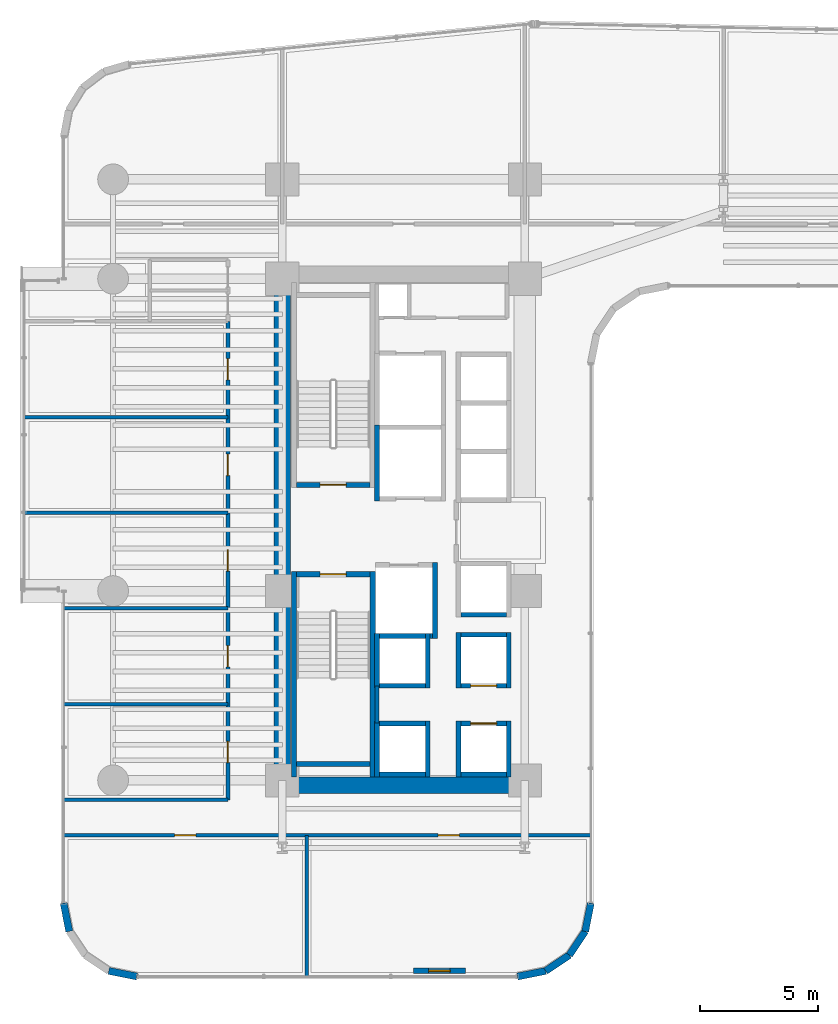
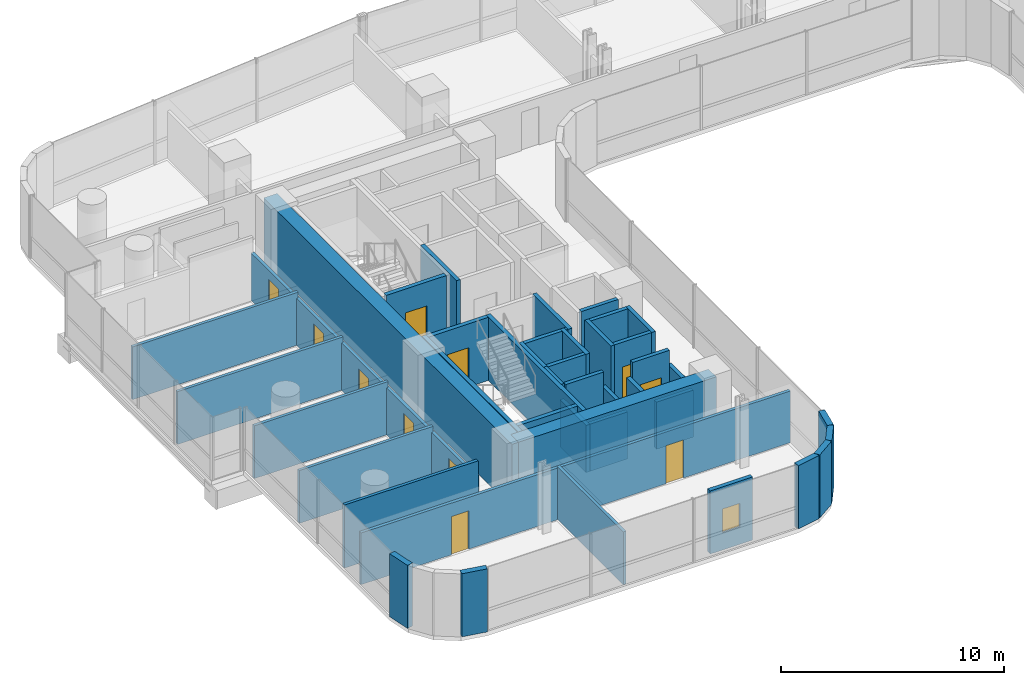
# One storey, part 29 of 38: 42 walls, 11 doors, 1 window, 12 openings.
"""IFC4 building model written with IfcOpenShell, lengths in metres."""

from ifc_helpers import new_model, si_unit, direction, frame, frame_2d, origin, place, context, subcontext, project, spatial, rectangle, extrude, material, layer, layer_set, type_object, element, fill, save


model = new_model("IFC4")

# Units and contexts
model_context = context("Model", 3, precision=1e-05, world=origin(), true_north=direction((0.0, 1.0)))
body_context = subcontext(model_context, "Body", "Model", "MODEL_VIEW")
ifc_project = project(units=[si_unit("LENGTHUNIT", "METRE"), si_unit("AREAUNIT", "SQUARE_METRE"), si_unit("VOLUMEUNIT", "CUBIC_METRE"), si_unit("PLANEANGLEUNIT", "RADIAN"), si_unit("MASSUNIT", "GRAM", prefix="KILO")], contexts=[model_context])

# Site, building, storey
site_placement = place(None, origin())
site = spatial("IfcSite", under=ifc_project, at=site_placement, CompositionType="ELEMENT")
building_placement = place(site_placement, origin())
building = spatial("IfcBuilding", under=site, at=building_placement, Name="Valdorenza Pilgrim Sanctuary Tower", CompositionType="ELEMENT")
storey_placement = place(building_placement, frame((0.0, 0.0, 37.10009765625)))
storey = spatial("IfcBuildingStorey", under=building, at=storey_placement, Name="L08", CompositionType="ELEMENT", Elevation=37.10009765625)

# Wall
ifc_material_1 = material(Name="Acoustic twin-stud gypsum partition", Category="gypsum")
ifc_layer_1 = layer(ifc_material_1, 0.159912109375, Name="Acoustic twin-stud gypsum partition")
ifc_layer_set_1 = layer_set([ifc_layer_1], Name="Acoustic twin-stud gypsum partition")
wall_type_1 = type_object("IfcWallType", Name="WAL-COR-160", PredefinedType="PARTITIONING", material=ifc_layer_set_1)
wall_1_placement = place(storey_placement, frame((-18.64990234375, -8.179931640625, 0.0), z_axis=(0.0, 0.0, 1.0), x_axis=(0.0, 1.0, 0.0)))
element("IfcWall", 1, at=wall_1_placement, inside=storey, type_object=wall_type_1, Name="L08 Core A South Lift Hall West Wall", PredefinedType="PARTITIONING", context=body_context, shape_type="SweptSolid", body=[
    extrude(rectangle(XDim=1.559814453125, YDim=0.159912109375, at=frame_2d((0.77978515625, 0.0))), origin(), (0.0, 0.0, 1.0), 3.4599609375),
])

# Wall, openings, doors
wall_2_placement = place(storey_placement, frame((-24.949951171875, -11.419921875, 0.0), z_axis=(0.0, 0.0, 1.0), x_axis=(0.0, 1.0, 0.0)))
wall_2 = element("IfcWall", 2, at=wall_2_placement, inside=storey, type_object=wall_type_1, Name="L08 West Wing Corridor Wall", PredefinedType="PARTITIONING", context=body_context, shape_type="SweptSolid", body=[
    extrude(rectangle(XDim=20.219970703125, YDim=0.159912109375, at=frame_2d((10.10986328125, 0.0))), origin(), (0.0, 0.0, 1.0), 2.5830078125),
])
opening_1_placement = place(wall_2_placement, frame((1.572021484375, 0.0, 0.0)))
opening_1 = element("IfcOpeningElement", 3, at=opening_1_placement, cuts=wall_2, Name="Opening DR-RM1", PredefinedType="OPENING", context=body_context, shape_type="SweptSolid", body=[
    extrude(rectangle(XDim=0.89990234375, YDim=2.10009765625, at=frame_2d((0.449951171875, 1.050048828125))), frame((0.0, 0.0947265625, 0.0), z_axis=(0.0, -1.0, 0.0), x_axis=(1.0, 0.0, 0.0)), (0.0, 0.0, 1.0), 0.189697265625),
])
opening_2_placement = place(wall_2_placement, frame((5.615966796875, 0.0, 0.0)))
opening_2 = element("IfcOpeningElement", 4, at=opening_2_placement, cuts=wall_2, Name="Opening DR-RM1", PredefinedType="OPENING", context=body_context, shape_type="SweptSolid", body=[
    extrude(rectangle(XDim=0.89990234375, YDim=2.10009765625, at=frame_2d((0.449951171875, 1.050048828125))), frame((0.0, 0.0947265625, 0.0), z_axis=(0.0, -1.0, 0.0), x_axis=(1.0, 0.0, 0.0)), (0.0, 0.0, 1.0), 0.189697265625),
])
opening_3_placement = place(wall_2_placement, frame((9.659912109375, 0.0, 0.0)))
opening_3 = element("IfcOpeningElement", 5, at=opening_3_placement, cuts=wall_2, Name="Opening DR-RM1", PredefinedType="OPENING", context=body_context, shape_type="SweptSolid", body=[
    extrude(rectangle(XDim=0.89990234375, YDim=2.10009765625, at=frame_2d((0.449951171875, 1.050048828125))), frame((0.0, 0.0947265625, 0.0), z_axis=(0.0, -1.0, 0.0), x_axis=(1.0, 0.0, 0.0)), (0.0, 0.0, 1.0), 0.189697265625),
])
opening_4_placement = place(wall_2_placement, frame((13.7041015625, 0.0, 0.0)))
opening_4 = element("IfcOpeningElement", 6, at=opening_4_placement, cuts=wall_2, Name="Opening DR-RM1", PredefinedType="OPENING", context=body_context, shape_type="SweptSolid", body=[
    extrude(rectangle(XDim=0.89990234375, YDim=2.10009765625, at=frame_2d((0.449951171875, 1.050048828125))), frame((0.0, 0.0947265625, 0.0), z_axis=(0.0, -1.0, 0.0), x_axis=(1.0, 0.0, 0.0)), (0.0, 0.0, 1.0), 0.189697265625),
])
opening_5_placement = place(wall_2_placement, frame((17.748046875, 0.0, 0.0)))
opening_5 = element("IfcOpeningElement", 7, at=opening_5_placement, cuts=wall_2, Name="Opening DR-RM1", PredefinedType="OPENING", context=body_context, shape_type="SweptSolid", body=[
    extrude(rectangle(XDim=0.89990234375, YDim=2.10009765625, at=frame_2d((0.449951171875, 1.050048828125))), frame((0.0, 0.0947265625, 0.0), z_axis=(0.0, -1.0, 0.0), x_axis=(1.0, 0.0, 0.0)), (0.0, 0.0, 1.0), 0.189697265625),
])
ifc_material_2 = material(Name="Solid-core European oak timber", Category="wood")
door_type_1 = type_object("IfcDoorType", Name="DR-ROOM-900", OperationType="NOTDEFINED", PredefinedType="DOOR", material=ifc_material_2)
door_1_placement = place(opening_1_placement, origin())
door_1 = element("IfcDoor", 8, at=door_1_placement, inside=storey, type_object=door_type_1, Name="L08 Pilgrim Scholar Office L08-W1 Door", OperationType="SINGLE_SWING_RIGHT", OverallHeight=2.10009765625, OverallWidth=0.89990234375, PredefinedType="DOOR", context=body_context, shape_type="SweptSolid", body=[
    extrude(rectangle(XDim=0.89990234375, YDim=2.10009765625, at=frame_2d((0.449951171875, 1.050048828125))), frame((0.0, 0.02490234375, 0.0), z_axis=(0.0, -1.0, 0.0), x_axis=(1.0, 0.0, 0.0)), (0.0, 0.0, 1.0), 0.050048828125),
])
fill(opening_1, door_1)
door_2_placement = place(opening_2_placement, frame((0.89990234375, 0.0, 0.0), z_axis=(0.0, 0.0, 1.0), x_axis=(-1.0, 0.0, 0.0)))
door_2 = element("IfcDoor", 9, at=door_2_placement, inside=storey, type_object=door_type_1, Name="L08 Pilgrim Scholar Office L08-W2 Door", OperationType="SINGLE_SWING_LEFT", OverallHeight=2.10009765625, OverallWidth=0.89990234375, PredefinedType="DOOR", context=body_context, shape_type="SweptSolid", body=[
    extrude(rectangle(XDim=0.89990234375, YDim=2.10009765625, at=frame_2d((0.449951171875, 1.050048828125))), frame((0.0, 0.02490234375, 0.0), z_axis=(0.0, -1.0, 0.0), x_axis=(1.0, 0.0, 0.0)), (0.0, 0.0, 1.0), 0.050048828125),
])
fill(opening_2, door_2)
door_3_placement = place(opening_3_placement, origin())
door_3 = element("IfcDoor", 10, at=door_3_placement, inside=storey, type_object=door_type_1, Name="L08 Pilgrim Scholar Office L08-W3 Door", OperationType="SINGLE_SWING_RIGHT", OverallHeight=2.10009765625, OverallWidth=0.89990234375, PredefinedType="DOOR", context=body_context, shape_type="SweptSolid", body=[
    extrude(rectangle(XDim=0.89990234375, YDim=2.10009765625, at=frame_2d((0.449951171875, 1.050048828125))), frame((0.0, 0.02490234375, 0.0), z_axis=(0.0, -1.0, 0.0), x_axis=(1.0, 0.0, 0.0)), (0.0, 0.0, 1.0), 0.050048828125),
])
fill(opening_3, door_3)
door_4_placement = place(opening_4_placement, frame((0.89990234375, 0.0, 0.0), z_axis=(0.0, 0.0, 1.0), x_axis=(-1.0, 0.0, 0.0)))
door_4 = element("IfcDoor", 11, at=door_4_placement, inside=storey, type_object=door_type_1, Name="L08 Pilgrim Scholar Office L08-W4 Door", OperationType="SINGLE_SWING_LEFT", OverallHeight=2.10009765625, OverallWidth=0.89990234375, PredefinedType="DOOR", context=body_context, shape_type="SweptSolid", body=[
    extrude(rectangle(XDim=0.89990234375, YDim=2.10009765625, at=frame_2d((0.449951171875, 1.050048828125))), frame((0.0, 0.02490234375, 0.0), z_axis=(0.0, -1.0, 0.0), x_axis=(1.0, 0.0, 0.0)), (0.0, 0.0, 1.0), 0.050048828125),
])
fill(opening_4, door_4)
door_5_placement = place(opening_5_placement, origin())
door_5 = element("IfcDoor", 12, at=door_5_placement, inside=storey, type_object=door_type_1, Name="L08 Pilgrim Scholar Office L08-W5 Door", OperationType="SINGLE_SWING_RIGHT", OverallHeight=2.10009765625, OverallWidth=0.89990234375, PredefinedType="DOOR", context=body_context, shape_type="SweptSolid", body=[
    extrude(rectangle(XDim=0.89990234375, YDim=2.10009765625, at=frame_2d((0.449951171875, 1.050048828125))), frame((0.0, 0.02490234375, 0.0), z_axis=(0.0, -1.0, 0.0), x_axis=(1.0, 0.0, 0.0)), (0.0, 0.0, 1.0), 0.050048828125),
])
fill(opening_5, door_5)

wall_3_placement = place(storey_placement, frame((-31.889892578125, -12.919921875, 0.0), z_axis=(0.0, 0.0, 1.0), x_axis=(1.0, 0.0, 0.0)))
wall_3 = element("IfcWall", 13, at=wall_3_placement, inside=storey, type_object=wall_type_1, Name="L08 South Wing Corridor Wall", PredefinedType="PARTITIONING", context=body_context, shape_type="SweptSolid", body=[
    extrude(rectangle(XDim=22.27978515625, YDim=0.159912109375, at=frame_2d((11.139892578125, 0.0))), origin(), (0.0, 0.0, 1.0), 2.833984375),
])
opening_6_placement = place(wall_3_placement, frame((4.68505859375, 0.0, 0.0)))
opening_6 = element("IfcOpeningElement", 14, at=opening_6_placement, cuts=wall_3, Name="Opening DR-RM1", PredefinedType="OPENING", context=body_context, shape_type="SweptSolid", body=[
    extrude(rectangle(XDim=0.89990234375, YDim=2.10009765625, at=frame_2d((0.449951171875, 1.050048828125))), frame((0.0, 0.0947265625, 0.0), z_axis=(0.0, -1.0, 0.0), x_axis=(1.0, 0.0, 0.0)), (0.0, 0.0, 1.0), 0.189697265625),
])
opening_7_placement = place(wall_3_placement, frame((15.824951171875, 0.0, 0.0)))
opening_7 = element("IfcOpeningElement", 15, at=opening_7_placement, cuts=wall_3, Name="Opening DR-RM1", PredefinedType="OPENING", context=body_context, shape_type="SweptSolid", body=[
    extrude(rectangle(XDim=0.89990234375, YDim=2.10009765625, at=frame_2d((0.449951171875, 1.050048828125))), frame((0.0, 0.0947265625, 0.0), z_axis=(0.0, -1.0, 0.0), x_axis=(1.0, 0.0, 0.0)), (0.0, 0.0, 1.0), 0.189697265625),
])
door_6_placement = place(opening_6_placement, frame((0.89990234375, 0.0, 0.0), z_axis=(0.0, 0.0, 1.0), x_axis=(-1.0, 0.0, 0.0)))
door_6 = element("IfcDoor", 16, at=door_6_placement, inside=storey, type_object=door_type_1, Name="L08 Pilgrim Scholar Office L08-S1 Door", OperationType="SINGLE_SWING_LEFT", OverallHeight=2.10009765625, OverallWidth=0.89990234375, PredefinedType="DOOR", context=body_context, shape_type="SweptSolid", body=[
    extrude(rectangle(XDim=0.89990234375, YDim=2.10009765625, at=frame_2d((0.449951171875, 1.050048828125))), frame((0.0, 0.02490234375, 0.0), z_axis=(0.0, -1.0, 0.0), x_axis=(1.0, 0.0, 0.0)), (0.0, 0.0, 1.0), 0.050048828125),
])
fill(opening_6, door_6)
door_7_placement = place(opening_7_placement, origin())
door_7 = element("IfcDoor", 17, at=door_7_placement, inside=storey, type_object=door_type_1, Name="L08 Pilgrim Scholar Office L08-S2 Door", OperationType="SINGLE_SWING_RIGHT", OverallHeight=2.10009765625, OverallWidth=0.89990234375, PredefinedType="DOOR", context=body_context, shape_type="SweptSolid", body=[
    extrude(rectangle(XDim=0.89990234375, YDim=2.10009765625, at=frame_2d((0.449951171875, 1.050048828125))), frame((0.0, 0.02490234375, 0.0), z_axis=(0.0, -1.0, 0.0), x_axis=(1.0, 0.0, 0.0)), (0.0, 0.0, 1.0), 0.050048828125),
])
fill(opening_7, door_7)

# Walls
wall_4_placement = place(storey_placement, frame((-31.889892578125, -11.419921875, 0.0), z_axis=(0.0, 0.0, 1.0), x_axis=(1.0, 0.0, 0.0)))
element("IfcWall", 18, at=wall_4_placement, inside=storey, type_object=wall_type_1, Name="L08 South-West Corridor North Wall", PredefinedType="PARTITIONING", context=body_context, shape_type="SweptSolid", body=[
    extrude(rectangle(XDim=6.93994140625, YDim=0.159912109375, at=frame_2d((3.469970703125, 0.0))), origin(), (0.0, 0.0, 1.0), 3.4599609375),
])
ifc_material_3 = material(Name="Concrete C60/75", Category="concrete")
ifc_layer_2 = layer(ifc_material_3, 0.699951171875, Name="Concrete C60/75")
ifc_layer_set_2 = layer_set([ifc_layer_2], Name="Concrete C60/75")
wall_type_2 = type_object("IfcWallType", Name="WAL-COR-700", PredefinedType="SHEAR", material=ifc_layer_set_2)
wall_5_placement = place(storey_placement, frame((-22.64990234375, -11.14990234375, 0.0), z_axis=(0.0, 0.0, 1.0), x_axis=(0.0, 1.0, 0.0)))
element("IfcWall", 19, at=wall_5_placement, inside=storey, type_object=wall_type_2, Name="L08 Split Core A Shear Wall W", PredefinedType="SHEAR", context=body_context, shape_type="SweptSolid", body=[
    extrude(rectangle(XDim=22.2998046875, YDim=0.699951171875, at=frame_2d((11.14990234375, 0.0))), origin(), (0.0, 0.0, 1.0), 3.4599609375),
])
wall_6_placement = place(storey_placement, frame((-22.64990234375, -10.800048828125, 0.0), z_axis=(0.0, 0.0, 1.0), x_axis=(1.0, 0.0, 0.0)))
element("IfcWall", 20, at=wall_6_placement, inside=storey, type_object=wall_type_2, Name="L08 Split Core A Shear Wall S", PredefinedType="SHEAR", context=body_context, shape_type="SweptSolid", body=[
    extrude(rectangle(XDim=10.25, YDim=0.699951171875, at=frame_2d((5.125, 0.0))), origin(), (0.0, 0.0, 1.0), 3.4599609375),
])
ifc_material_4 = material(Name="Honed travertine limestone", Category="masonry")
ifc_layer_3 = layer(ifc_material_4, 0.300048828125, Name="Honed travertine limestone")
ifc_layer_set_3 = layer_set([ifc_layer_3], Name="Honed travertine limestone")
wall_type_3 = type_object("IfcWallType", Name="WAL-EXT-300", PredefinedType="SOLIDWALL", material=ifc_layer_set_3)
wall_7_placement = place(storey_placement, frame((-9.610107421875, -15.789306640625, 0.0), z_axis=(0.0, 0.0, 1.0), x_axis=(-0.194996050505, -0.980804027463, 0.0)))
element("IfcWall", 21, at=wall_7_placement, inside=storey, type_object=wall_type_3, Name="L08 Rounded Wind-Corner Stone Pier 42", PredefinedType="SOLIDWALL", context=body_context, shape_type="SweptSolid", body=[
    extrude(rectangle(XDim=1.2158203125, YDim=0.300048828125, at=frame_2d((0.60791015625, 0.0))), origin(), (0.0, 0.0, 1.0), 3.4599609375),
])
for number, where, z_axis, x_axis, name in (
    (22, (-9.84716796875, -16.981689453125, 0.0), (0.0, 0.0, 1.0), (-0.555635100982, -0.831426265255, 0.0), "L08 Rounded Wind-Corner Stone Pier 43"),
    (23, (-10.5166015625, -17.9833984375, 0.0), (0.0, 0.0, 1.0), (-0.831426265255, -0.555635100982, 0.0), "L08 Rounded Wind-Corner Stone Pier 44"),
):
    element("IfcWall", number, at=place(storey_placement, frame(where, z_axis=z_axis, x_axis=x_axis)), inside=storey, type_object=wall_type_3, Name=name, PredefinedType="SOLIDWALL", context=body_context, shape_type="SweptSolid", body=[
        extrude(rectangle(XDim=1.204833984375, YDim=0.300048828125, at=frame_2d((0.6025390625, 0.0))), origin(), (0.0, 0.0, 1.0), 3.4599609375),
    ])
wall_8_placement = place(storey_placement, frame((-11.518310546875, -18.65283203125, 0.0), z_axis=(0.0, 0.0, 1.0), x_axis=(-0.980804027463, -0.194996050505, 0.0)))
element("IfcWall", 24, at=wall_8_placement, inside=storey, type_object=wall_type_3, Name="L08 Rounded Wind-Corner Stone Pier 45", PredefinedType="SOLIDWALL", context=body_context, shape_type="SweptSolid", body=[
    extrude(rectangle(XDim=1.2158203125, YDim=0.300048828125, at=frame_2d((0.60791015625, 0.0))), origin(), (0.0, 0.0, 1.0), 3.4599609375),
])

# Wall, opening, window
wall_9_placement = place(storey_placement, frame((-14.910888671875, -18.64990234375, 0.0), z_axis=(0.0, 0.0, 1.0), x_axis=(-1.0, 0.0, 0.0)))
wall_9 = element("IfcWall", 25, at=wall_9_placement, inside=storey, type_object=wall_type_3, Name="L08 Operable Ventilation Sash Jamb Pier", PredefinedType="SOLIDWALL", context=body_context, shape_type="SweptSolid", body=[
    extrude(rectangle(XDim=2.199951171875, YDim=0.219970703125, at=frame_2d((1.10009765625, 0.0))), origin(), (0.0, 0.0, 1.0), 3.4599609375),
])
opening_8_placement = place(wall_9_placement, frame((0.64990234375, 0.0, 0.949951171875)))
opening_8 = element("IfcOpeningElement", 26, at=opening_8_placement, cuts=wall_9, Name="Opening WN-OP1", PredefinedType="OPENING", context=body_context, shape_type="SweptSolid", body=[
    extrude(rectangle(XDim=0.89990234375, YDim=1.300048828125, at=frame_2d((0.449951171875, 0.64990234375))), frame((0.0, 0.125, 0.0), z_axis=(0.0, -1.0, 0.0), x_axis=(1.0, 0.0, 0.0)), (0.0, 0.0, 1.0), 0.249755859375),
])
ifc_material_5 = material(Name="Ceramic-fritted low-E IGU glazing", Category="glass")
window_type = type_object("IfcWindowType", Name="WIN-OPN-900", PartitioningType="SINGLE_PANEL", PredefinedType="WINDOW", material=ifc_material_5)
window_placement = place(opening_8_placement, origin())
window = element("IfcWindow", 27, at=window_placement, inside=storey, type_object=window_type, Name="L08 Parallel-Pop-Out Operable Facade Panel", OverallHeight=1.300048828125, OverallWidth=0.89990234375, PartitioningType="SINGLE_PANEL", PredefinedType="WINDOW", context=body_context, shape_type="SweptSolid", body=[
    extrude(rectangle(XDim=0.89990234375, YDim=1.300048828125, at=frame_2d((0.449951171875, 0.64990234375))), frame((0.0, 0.030029296875, 0.0), z_axis=(0.0, -1.0, 0.0), x_axis=(1.0, 0.0, 0.0)), (0.0, 0.0, 1.0), 0.06005859375),
])
fill(opening_8, window)

# Walls
for number, where, z_axis, x_axis, name in (
    (28, (-28.789306640625, -18.889892578125, 0.0), (0.0, 0.0, 1.0), (-0.980804027463, 0.194996050505, 0.0), "L08 Rounded Wind-Corner Stone Pier 47"),
    (29, (-31.65283203125, -16.981689453125, 0.0), (0.0, 0.0, 1.0), (-0.194996050505, 0.980804027463, 0.0), "L08 Rounded Wind-Corner Stone Pier 50"),
):
    element("IfcWall", number, at=place(storey_placement, frame(where, z_axis=z_axis, x_axis=x_axis)), inside=storey, type_object=wall_type_3, Name=name, PredefinedType="SOLIDWALL", context=body_context, shape_type="SweptSolid", body=[
        extrude(rectangle(XDim=1.2158203125, YDim=0.300048828125, at=frame_2d((0.60791015625, 0.0))), origin(), (0.0, 0.0, 1.0), 3.4599609375),
    ])
ifc_material_6 = material(Name="Autoclaved aerated concrete blockwork", Category="masonry")
ifc_layer_4 = layer(ifc_material_6, 0.199951171875, Name="Autoclaved aerated concrete blockwork")
ifc_layer_set_4 = layer_set([ifc_layer_4], Name="Autoclaved aerated concrete blockwork")
wall_type_4 = type_object("IfcWallType", Name="WAL-SHF-200", PredefinedType="MOVABLE", material=ifc_layer_set_4)
wall_10_placement = place(storey_placement, frame((-18.64990234375, 1.199951171875, 0.0), z_axis=(0.0, 0.0, 1.0), x_axis=(0.0, 1.0, 0.0)))
element("IfcWall", 30, at=wall_10_placement, inside=storey, type_object=wall_type_4, Name="L08 Lift FFL-01 Hoistway Wall West", PredefinedType="MOVABLE", context=body_context, shape_type="SweptSolid", body=[
    extrude(rectangle(XDim=3.22509765625, YDim=0.199951171875, at=frame_2d((1.612548828125, 0.0))), origin(), (0.0, 0.0, 1.0), 3.4599609375),
])
wall_11_placement = place(storey_placement, frame((-16.199951171875, -4.60009765625, 0.0), z_axis=(0.0, 0.0, 1.0), x_axis=(0.0, 1.0, 0.0)))
element("IfcWall", 31, at=wall_11_placement, inside=storey, type_object=wall_type_4, Name="L08 Lift FFL-02 Hoistway Wall East", PredefinedType="MOVABLE", context=body_context, shape_type="SweptSolid", body=[
    extrude(rectangle(XDim=3.2001953125, YDim=0.199951171875, at=frame_2d((1.60009765625, 0.0))), origin(), (0.0, 0.0, 1.0), 3.4599609375),
])
wall_12_placement = place(storey_placement, frame((-18.719970703125, -4.5, 0.0), z_axis=(0.0, 0.0, 1.0), x_axis=(1.0, 0.0, 0.0)))
element("IfcWall", 32, at=wall_12_placement, inside=storey, type_object=wall_type_4, Name="L08 Lift FFL-02 Hoistway Wall South", PredefinedType="MOVABLE", context=body_context, shape_type="SweptSolid", body=[
    extrude(rectangle(XDim=2.419921875, YDim=0.199951171875, at=frame_2d((1.2099609375, 0.0))), origin(), (0.0, 0.0, 1.0), 3.4599609375),
])
for number, where, z_axis, x_axis, name in (
    (33, (-15.199951171875, -10.449951171875, 0.0), (0.0, 0.0, 1.0), (0.0, 1.0, 0.0), "L08 Lift PL-01 Hoistway Wall West"),
    (34, (-13.080078125, -10.449951171875, 0.0), (0.0, 0.0, 1.0), (0.0, 1.0, 0.0), "L08 Lift PL-01 Hoistway Wall East"),
):
    element("IfcWall", number, at=place(storey_placement, frame(where, z_axis=z_axis, x_axis=x_axis)), inside=storey, type_object=wall_type_4, Name=name, PredefinedType="MOVABLE", context=body_context, shape_type="SweptSolid", body=[
        extrude(rectangle(XDim=2.349853515625, YDim=0.199951171875, at=frame_2d((1.1748046875, 0.0))), origin(), (0.0, 0.0, 1.0), 2.5830078125),
    ])
wall_13_placement = place(storey_placement, frame((-15.10009765625, -10.35009765625, 0.0), z_axis=(0.0, 0.0, 1.0), x_axis=(1.0, 0.0, 0.0)))
element("IfcWall", 35, at=wall_13_placement, inside=storey, type_object=wall_type_4, Name="L08 Lift PL-01 Hoistway Wall South", PredefinedType="MOVABLE", context=body_context, shape_type="SweptSolid", body=[
    extrude(rectangle(XDim=1.920166015625, YDim=0.199951171875, at=frame_2d((0.9599609375, 0.0))), origin(), (0.0, 0.0, 1.0), 2.5830078125),
])

# Wall, opening, door
wall_14_placement = place(storey_placement, frame((-15.10009765625, -8.199951171875, 0.0), z_axis=(0.0, 0.0, 1.0), x_axis=(1.0, 0.0, 0.0)))
wall_14 = element("IfcWall", 36, at=wall_14_placement, inside=storey, type_object=wall_type_4, Name="L08 Lift PL-01 Hoistway Wall North", PredefinedType="MOVABLE", context=body_context, shape_type="SweptSolid", body=[
    extrude(rectangle(XDim=1.920166015625, YDim=0.199951171875, at=frame_2d((0.9599609375, 0.0))), origin(), (0.0, 0.0, 1.0), 3.4599609375),
])
opening_9_placement = place(wall_14_placement, frame((0.409912109375, 0.0, 0.0)))
opening_9 = element("IfcOpeningElement", 37, at=opening_9_placement, cuts=wall_14, Name="Opening LD-01", PredefinedType="OPENING", context=body_context, shape_type="SweptSolid", body=[
    extrude(rectangle(XDim=1.10009765625, YDim=2.10009765625, at=frame_2d((0.550048828125, 1.050048828125))), frame((0.0, 0.11474609375, 0.0), z_axis=(0.0, -1.0, 0.0), x_axis=(1.0, 0.0, 0.0)), (0.0, 0.0, 1.0), 0.229736328125),
])
ifc_material_7 = material(Name="Brushed stainless steel Grade 316", Category="steel")
door_type_2 = type_object("IfcDoorType", Name="DR-LFT-1100", OperationType="DOUBLE_DOOR_SLIDING", PredefinedType="DOOR", material=ifc_material_7)
door_8_placement = place(opening_9_placement, origin())
door_8 = element("IfcDoor", 38, at=door_8_placement, inside=storey, type_object=door_type_2, Name="L08 Lift PL-01 Sliding Landing Door", OperationType="DOUBLE_DOOR_SLIDING", OverallHeight=2.10009765625, OverallWidth=1.10009765625, PredefinedType="DOOR", context=body_context, shape_type="SweptSolid", body=[
    extrude(rectangle(XDim=1.10009765625, YDim=2.10009765625, at=frame_2d((0.550048828125, 1.050048828125))), frame((0.0, 0.02490234375, 0.0), z_axis=(0.0, -1.0, 0.0), x_axis=(1.0, 0.0, 0.0)), (0.0, 0.0, 1.0), 0.050048828125),
])
fill(opening_9, door_8)

# Walls
for number, where, z_axis, x_axis, name in (
    (39, (-15.199951171875, -6.699951171875, 0.0), (0.0, 0.0, 1.0), (0.0, 1.0, 0.0), "L08 Lift PL-02 Hoistway Wall West"),
    (40, (-13.080078125, -6.699951171875, 0.0), (0.0, 0.0, 1.0), (0.0, 1.0, 0.0), "L08 Lift PL-02 Hoistway Wall East"),
):
    element("IfcWall", number, at=place(storey_placement, frame(where, z_axis=z_axis, x_axis=x_axis)), inside=storey, type_object=wall_type_4, Name=name, PredefinedType="MOVABLE", context=body_context, shape_type="SweptSolid", body=[
        extrude(rectangle(XDim=2.349853515625, YDim=0.199951171875, at=frame_2d((1.1748046875, 0.0))), origin(), (0.0, 0.0, 1.0), 3.4599609375),
    ])

# Wall, opening, door
wall_15_placement = place(storey_placement, frame((-15.10009765625, -6.60009765625, 0.0), z_axis=(0.0, 0.0, 1.0), x_axis=(1.0, 0.0, 0.0)))
wall_15 = element("IfcWall", 41, at=wall_15_placement, inside=storey, type_object=wall_type_4, Name="L08 Lift PL-02 Hoistway Wall South", PredefinedType="MOVABLE", context=body_context, shape_type="SweptSolid", body=[
    extrude(rectangle(XDim=1.920166015625, YDim=0.199951171875, at=frame_2d((0.9599609375, 0.0))), origin(), (0.0, 0.0, 1.0), 3.4599609375),
])
opening_10_placement = place(wall_15_placement, frame((0.409912109375, 0.0, 0.0)))
opening_10 = element("IfcOpeningElement", 42, at=opening_10_placement, cuts=wall_15, Name="Opening LD-01", PredefinedType="OPENING", context=body_context, shape_type="SweptSolid", body=[
    extrude(rectangle(XDim=1.10009765625, YDim=2.10009765625, at=frame_2d((0.550048828125, 1.050048828125))), frame((0.0, 0.11474609375, 0.0), z_axis=(0.0, -1.0, 0.0), x_axis=(1.0, 0.0, 0.0)), (0.0, 0.0, 1.0), 0.229736328125),
])
door_9_placement = place(opening_10_placement, origin())
door_9 = element("IfcDoor", 43, at=door_9_placement, inside=storey, type_object=door_type_2, Name="L08 Lift PL-02 Sliding Landing Door", OperationType="DOUBLE_DOOR_SLIDING", OverallHeight=2.10009765625, OverallWidth=1.10009765625, PredefinedType="DOOR", context=body_context, shape_type="SweptSolid", body=[
    extrude(rectangle(XDim=1.10009765625, YDim=2.10009765625, at=frame_2d((0.550048828125, 1.050048828125))), frame((0.0, 0.02490234375, 0.0), z_axis=(0.0, -1.0, 0.0), x_axis=(1.0, 0.0, 0.0)), (0.0, 0.0, 1.0), 0.050048828125),
])
fill(opening_10, door_9)

# Walls
wall_16_placement = place(storey_placement, frame((-15.10009765625, -4.449951171875, 0.0), z_axis=(0.0, 0.0, 1.0), x_axis=(1.0, 0.0, 0.0)))
element("IfcWall", 44, at=wall_16_placement, inside=storey, type_object=wall_type_4, Name="L08 Lift PL-02 Hoistway Wall North", PredefinedType="MOVABLE", context=body_context, shape_type="SweptSolid", body=[
    extrude(rectangle(XDim=1.920166015625, YDim=0.199951171875, at=frame_2d((0.9599609375, 0.0))), origin(), (0.0, 0.0, 1.0), 3.4599609375),
])
for number, where, z_axis, x_axis, name in (
    (45, (-18.64990234375, -10.449951171875, 0.0), (0.0, 0.0, 1.0), (0.0, 1.0, 0.0), "L08 Lift PL-05 Hoistway Wall West"),
    (46, (-16.5, -10.449951171875, 0.0), (0.0, 0.0, 1.0), (0.0, 1.0, 0.0), "L08 Lift PL-05 Hoistway Wall East"),
):
    element("IfcWall", number, at=place(storey_placement, frame(where, z_axis=z_axis, x_axis=x_axis)), inside=storey, type_object=wall_type_4, Name=name, PredefinedType="MOVABLE", context=body_context, shape_type="SweptSolid", body=[
        extrude(rectangle(XDim=2.349853515625, YDim=0.199951171875, at=frame_2d((1.1748046875, 0.0))), origin(), (0.0, 0.0, 1.0), 2.5830078125),
    ])
wall_17_placement = place(storey_placement, frame((-18.550048828125, -10.35009765625, 0.0), z_axis=(0.0, 0.0, 1.0), x_axis=(1.0, 0.0, 0.0)))
element("IfcWall", 47, at=wall_17_placement, inside=storey, type_object=wall_type_4, Name="L08 Lift PL-05 Hoistway Wall South", PredefinedType="MOVABLE", context=body_context, shape_type="SweptSolid", body=[
    extrude(rectangle(XDim=1.949951171875, YDim=0.199951171875, at=frame_2d((0.97509765625, 0.0))), origin(), (0.0, 0.0, 1.0), 2.5830078125),
])
wall_18_placement = place(storey_placement, frame((-18.550048828125, -8.199951171875, 0.0), z_axis=(0.0, 0.0, 1.0), x_axis=(1.0, 0.0, 0.0)))
element("IfcWall", 48, at=wall_18_placement, inside=storey, type_object=wall_type_4, Name="L08 Lift PL-05 Hoistway Wall North", PredefinedType="MOVABLE", context=body_context, shape_type="SweptSolid", body=[
    extrude(rectangle(XDim=1.949951171875, YDim=0.199951171875, at=frame_2d((0.97509765625, 0.0))), origin(), (0.0, 0.0, 1.0), 3.4599609375),
])
for number, where, z_axis, x_axis, name in (
    (49, (-18.64990234375, -6.699951171875, 0.0), (0.0, 0.0, 1.0), (0.0, 1.0, 0.0), "L08 Lift PL-11 Hoistway Wall West"),
    (50, (-16.5, -6.699951171875, 0.0), (0.0, 0.0, 1.0), (0.0, 1.0, 0.0), "L08 Lift PL-11 Hoistway Wall East"),
):
    element("IfcWall", number, at=place(storey_placement, frame(where, z_axis=z_axis, x_axis=x_axis)), inside=storey, type_object=wall_type_4, Name=name, PredefinedType="MOVABLE", context=body_context, shape_type="SweptSolid", body=[
        extrude(rectangle(XDim=2.300048828125, YDim=0.199951171875, at=frame_2d((1.14990234375, 0.0))), origin(), (0.0, 0.0, 1.0), 3.4599609375),
    ])
wall_19_placement = place(storey_placement, frame((-18.550048828125, -6.60009765625, 0.0), z_axis=(0.0, 0.0, 1.0), x_axis=(1.0, 0.0, 0.0)))
element("IfcWall", 51, at=wall_19_placement, inside=storey, type_object=wall_type_4, Name="L08 Lift PL-11 Hoistway Wall South", PredefinedType="MOVABLE", context=body_context, shape_type="SweptSolid", body=[
    extrude(rectangle(XDim=1.949951171875, YDim=0.199951171875, at=frame_2d((0.97509765625, 0.0))), origin(), (0.0, 0.0, 1.0), 3.4599609375),
])
wall_20_placement = place(storey_placement, frame((-15.10009765625, -3.60009765625, 0.0), z_axis=(0.0, 0.0, 1.0), x_axis=(1.0, 0.0, 0.0)))
element("IfcWall", 52, at=wall_20_placement, inside=storey, type_object=wall_type_4, Name="L08 Lift PL-12 Hoistway Wall South", PredefinedType="MOVABLE", context=body_context, shape_type="SweptSolid", body=[
    extrude(rectangle(XDim=1.920166015625, YDim=0.199951171875, at=frame_2d((0.9599609375, 0.0))), origin(), (0.0, 0.0, 1.0), 3.4599609375),
])

# Wall, opening, door
ifc_material_8 = material(Name="Concrete C40/50", Category="concrete")
ifc_layer_5 = layer(ifc_material_8, 0.219970703125, Name="Concrete C40/50")
ifc_layer_set_5 = layer_set([ifc_layer_5], Name="Concrete C40/50")
wall_type_5 = type_object("IfcWallType", Name="WAL-STR-SHF-220", PredefinedType="SHEAR", material=ifc_layer_set_5)
wall_21_placement = place(storey_placement, frame((-22.050048828125, 1.889892578125, 0.0), z_axis=(0.0, 0.0, 1.0), x_axis=(1.0, 0.0, 0.0)))
wall_21 = element("IfcWall", 53, at=wall_21_placement, inside=storey, type_object=wall_type_5, Name="L08 ST-A1 Structural Stairwell Wall S", PredefinedType="SHEAR", context=body_context, shape_type="SweptSolid", body=[
    extrude(rectangle(XDim=3.110107421875, YDim=0.219970703125, at=frame_2d((1.55517578125, 0.0))), origin(), (0.0, 0.0, 1.0), 3.4599609375),
])
opening_11_placement = place(wall_21_placement, frame((1.0, 0.0, 0.0)))
opening_11 = element("IfcOpeningElement", 54, at=opening_11_placement, cuts=wall_21, Name="Opening DR-ST1", PredefinedType="OPENING", context=body_context, shape_type="SweptSolid", body=[
    extrude(rectangle(XDim=1.10009765625, YDim=2.14990234375, at=frame_2d((0.550048828125, 1.074951171875))), frame((0.0, 0.125, 0.0), z_axis=(0.0, -1.0, 0.0), x_axis=(1.0, 0.0, 0.0)), (0.0, 0.0, 1.0), 0.249755859375),
])
ifc_material_9 = material(Name="Painted galvanized steel", Category="steel")
door_type_3 = type_object("IfcDoorType", Name="DR-STAIR-1100", OperationType="NOTDEFINED", PredefinedType="DOOR", material=ifc_material_9)
door_10_placement = place(opening_11_placement, frame((1.10009765625, 0.0, 0.0), z_axis=(0.0, 0.0, 1.0), x_axis=(-1.0, 0.0, 0.0)))
door_10 = element("IfcDoor", 55, at=door_10_placement, inside=storey, type_object=door_type_3, Name="L08 Exit Stair ST-A1 Door", OperationType="SINGLE_SWING_LEFT", OverallHeight=2.14990234375, OverallWidth=1.10009765625, PredefinedType="DOOR", context=body_context, shape_type="SweptSolid", body=[
    extrude(rectangle(XDim=1.10009765625, YDim=2.14990234375, at=frame_2d((0.550048828125, 1.074951171875))), frame((0.0, 0.02490234375, 0.0), z_axis=(0.0, -1.0, 0.0), x_axis=(1.0, 0.0, 0.0)), (0.0, 0.0, 1.0), 0.050048828125),
])
fill(opening_11, door_10)

# Walls
for number, where, z_axis, x_axis, name in (
    (56, (-22.159912109375, -10.449951171875, 0.0), (0.0, 0.0, 1.0), (0.0, 1.0, 0.0), "L08 ST-A2 Structural Stairwell Wall W"),
    (57, (-18.830078125, -10.449951171875, 0.0), (0.0, 0.0, 1.0), (0.0, 1.0, 0.0), "L08 ST-A2 Structural Stairwell Wall E"),
):
    element("IfcWall", number, at=place(storey_placement, frame(where, z_axis=z_axis, x_axis=x_axis)), inside=storey, type_object=wall_type_5, Name=name, PredefinedType="SHEAR", context=body_context, shape_type="SweptSolid", body=[
        extrude(rectangle(XDim=8.669921875, YDim=0.219970703125, at=frame_2d((4.3349609375, 0.0))), origin(), (0.0, 0.0, 1.0), 3.4599609375),
    ])
wall_22_placement = place(storey_placement, frame((-22.050048828125, -9.909912109375, 0.0), z_axis=(0.0, 0.0, 1.0), x_axis=(1.0, 0.0, 0.0)))
element("IfcWall", 58, at=wall_22_placement, inside=storey, type_object=wall_type_5, Name="L08 ST-A2 Structural Stairwell Wall S", PredefinedType="SHEAR", context=body_context, shape_type="SweptSolid", body=[
    extrude(rectangle(XDim=3.110107421875, YDim=0.219970703125, at=frame_2d((1.55517578125, 0.0))), origin(), (0.0, 0.0, 1.0), 3.4599609375),
])

# Wall, opening, door
wall_23_placement = place(storey_placement, frame((-22.050048828125, -1.889892578125, 0.0), z_axis=(0.0, 0.0, 1.0), x_axis=(1.0, 0.0, 0.0)))
wall_23 = element("IfcWall", 59, at=wall_23_placement, inside=storey, type_object=wall_type_5, Name="L08 ST-A2 Structural Stairwell Wall N", PredefinedType="SHEAR", context=body_context, shape_type="SweptSolid", body=[
    extrude(rectangle(XDim=3.110107421875, YDim=0.219970703125, at=frame_2d((1.55517578125, 0.0))), origin(), (0.0, 0.0, 1.0), 3.4599609375),
])
opening_12_placement = place(wall_23_placement, frame((1.0, 0.0, 0.0)))
opening_12 = element("IfcOpeningElement", 60, at=opening_12_placement, cuts=wall_23, Name="Opening DR-ST1", PredefinedType="OPENING", context=body_context, shape_type="SweptSolid", body=[
    extrude(rectangle(XDim=1.10009765625, YDim=2.14990234375, at=frame_2d((0.550048828125, 1.074951171875))), frame((0.0, 0.125, 0.0), z_axis=(0.0, -1.0, 0.0), x_axis=(1.0, 0.0, 0.0)), (0.0, 0.0, 1.0), 0.249755859375),
])
door_11_placement = place(opening_12_placement, origin())
door_11 = element("IfcDoor", 61, at=door_11_placement, inside=storey, type_object=door_type_3, Name="L08 Exit Stair ST-A2 Door", OperationType="SINGLE_SWING_RIGHT", OverallHeight=2.14990234375, OverallWidth=1.10009765625, PredefinedType="DOOR", context=body_context, shape_type="SweptSolid", body=[
    extrude(rectangle(XDim=1.10009765625, YDim=2.14990234375, at=frame_2d((0.550048828125, 1.074951171875))), frame((0.0, 0.02490234375, 0.0), z_axis=(0.0, -1.0, 0.0), x_axis=(1.0, 0.0, 0.0)), (0.0, 0.0, 1.0), 0.050048828125),
])
fill(opening_12, door_11)

# Walls
ifc_layer_6 = layer(ifc_material_1, 0.14990234375, Name="Acoustic twin-stud gypsum partition")
ifc_layer_set_6 = layer_set([ifc_layer_6], Name="Acoustic twin-stud gypsum partition")
wall_type_6 = type_object("IfcWallType", Name="WAL-UNT-150", PredefinedType="PARTITIONING", material=ifc_layer_set_6)
for number, where, z_axis, x_axis, name in (
    (62, (-31.889892578125, -7.3759765625, 0.0), (0.0, 0.0, 1.0), (1.0, 0.0, 0.0), "L08 Pilgrim Scholar Office L08-W2 Demising Wall"),
    (63, (-31.889892578125, -3.33203125, 0.0), (0.0, 0.0, 1.0), (1.0, 0.0, 0.0), "L08 Pilgrim Scholar Office L08-W3 Demising Wall"),
):
    element("IfcWall", number, at=place(storey_placement, frame(where, z_axis=z_axis, x_axis=x_axis)), inside=storey, type_object=wall_type_6, Name=name, PredefinedType="PARTITIONING", context=body_context, shape_type="SweptSolid", body=[
        extrude(rectangle(XDim=6.93994140625, YDim=0.14990234375, at=frame_2d((3.469970703125, 0.0))), origin(), (0.0, 0.0, 1.0), 2.89599609375),
    ])
for number, where, z_axis, x_axis, name in (
    (64, (-33.5400390625, 0.7119140625, 0.0), (0.0, 0.0, 1.0), (1.0, 0.0, 0.0), "L08 Pilgrim Scholar Office L08-W4 Demising Wall"),
    (65, (-33.5400390625, 4.756103515625, 0.0), (0.0, 0.0, 1.0), (1.0, 0.0, 0.0), "L08 Pilgrim Scholar Office L08-W5 Demising Wall"),
):
    element("IfcWall", number, at=place(storey_placement, frame(where, z_axis=z_axis, x_axis=x_axis)), inside=storey, type_object=wall_type_6, Name=name, PredefinedType="PARTITIONING", context=body_context, shape_type="SweptSolid", body=[
        extrude(rectangle(XDim=8.590087890625, YDim=0.14990234375, at=frame_2d((4.294921875, 0.0))), origin(), (0.0, 0.0, 1.0), 2.89599609375),
    ])
wall_24_placement = place(storey_placement, frame((-21.6201171875, -18.889892578125, 0.0), z_axis=(0.0, 0.0, 1.0), x_axis=(0.0, 1.0, 0.0)))
element("IfcWall", 66, at=wall_24_placement, inside=storey, type_object=wall_type_6, Name="L08 Pilgrim Scholar Office L08-S2 Demising Wall", PredefinedType="PARTITIONING", context=body_context, shape_type="SweptSolid", body=[
    extrude(rectangle(XDim=5.969970703125, YDim=0.14990234375, at=frame_2d((2.98486328125, 0.0))), origin(), (0.0, 0.0, 1.0), 2.89599609375),
])

save(model, "model.ifc")
